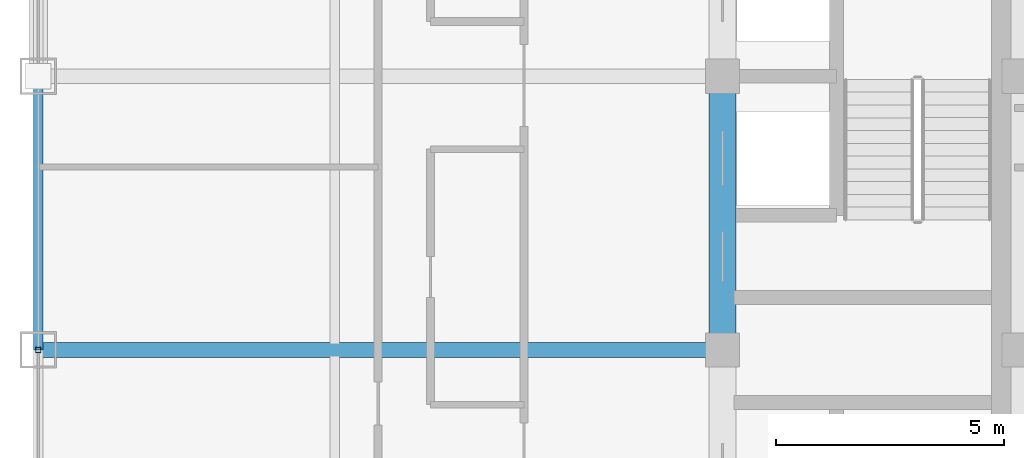
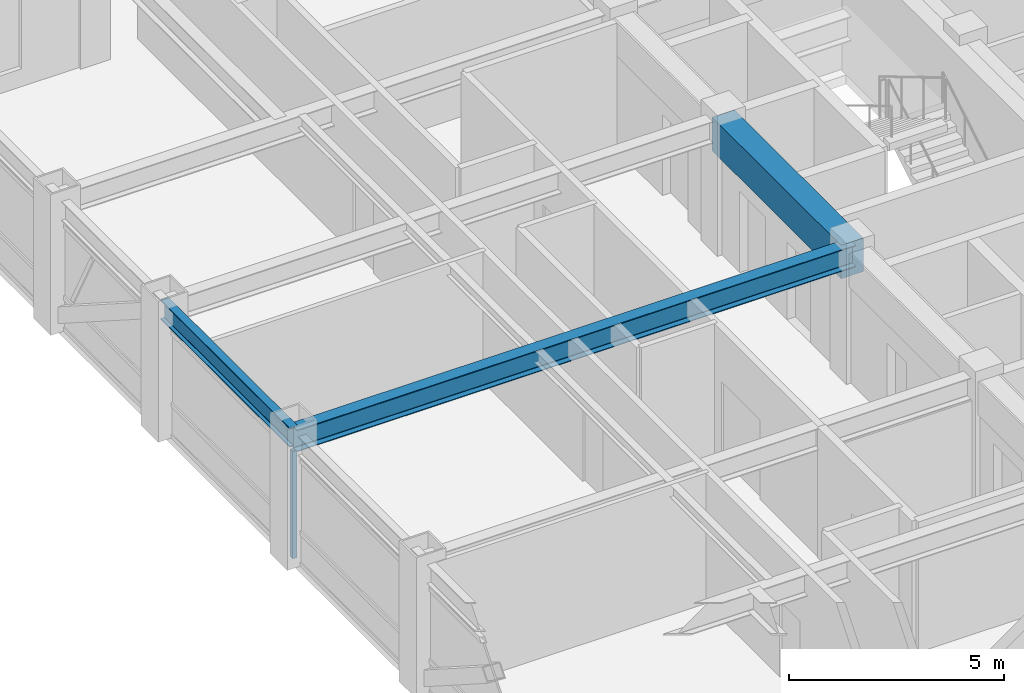
# One storey, part 6 of 32: 3 beams, 1 member, 1 element without a shape of its own.
"""IFC4 building model written with IfcOpenShell, lengths in metres."""

import ifcopenshell
import ifcopenshell.guid

model = None  # the IFC model being written
_history = None  # IfcOwnerHistory: only IFC2X3 demands one
_inside = {}  # id of a spatial element -> (the spatial element, [elements in it])
_under = {}  # id of a project, library or spatial element -> (it, [spatial elements below it])
_declared = {}  # id of a project -> (the project, [libraries it declares])
_typed = {}  # id of a type object -> (the type object, [elements of that type])
_made_of = {}  # id of a material, layer set ... -> (it, [elements and type objects made of it])


def new_model(schema):
    """Start an empty IFC model of exactly this schema.

    Asked for "IFC4X3", IfcOpenShell would pick the latest addendum, in which some entities
    have other attributes; the version numbers below select the first issue.
    IFC2X3 requires an IfcOwnerHistory on every rooted entity: one is made here for all.
    """
    global model, _history
    if schema == "IFC4X3":
        model = ifcopenshell.file(schema_version=(4, 3, 0, 0))
    else:
        model = ifcopenshell.file(schema=schema)
    _inside.clear()
    _under.clear()
    _declared.clear()
    _typed.clear()
    _made_of.clear()
    _history = None
    if model.schema == "IFC2X3":
        org = make("IfcOrganization", Name="unknown")
        user = make(
            "IfcPersonAndOrganization",
            ThePerson=make("IfcPerson", FamilyName="unknown"),
            TheOrganization=org,
        )
        app = make(
            "IfcApplication",
            ApplicationDeveloper=org,
            Version="unknown",
            ApplicationFullName="unknown",
            ApplicationIdentifier="unknown",
        )
        _history = make(
            "IfcOwnerHistory",
            OwningUser=user,
            OwningApplication=app,
            ChangeAction="ADDED",
            CreationDate=0,
        )
    return model


def make(cls, **values):
    """One entity of the class cls with the attributes given. An attribute that is None is left unset."""
    return model.create_entity(
        cls, **{name: value for name, value in values.items() if value is not None}
    )


def rooted(cls, **values):
    """An entity with a GlobalId (a new one), such as an element, a storey or a relation."""
    return make(cls, GlobalId=ifcopenshell.guid.new(), OwnerHistory=_history, **values)


def si_unit(unit_type, name, prefix=None):
    """IfcSIUnit, for example si_unit("LENGTHUNIT", "METRE", prefix="MILLI")."""
    return make("IfcSIUnit", UnitType=unit_type, Prefix=prefix, Name=name)


def assignment(units):
    """IfcUnitAssignment: the units of a project."""
    return None if units is None else make("IfcUnitAssignment", Units=units)


def point(xyz):
    """IfcCartesianPoint."""
    return None if xyz is None else make("IfcCartesianPoint", Coordinates=xyz)


def direction(xyz):
    """IfcDirection."""
    return None if xyz is None else make("IfcDirection", DirectionRatios=xyz)


def frame(location, z_axis=None, x_axis=None):
    """IfcAxis2Placement3D, a coordinate frame: its origin and axes. An axis left out is left unset."""
    return make(
        "IfcAxis2Placement3D",
        Location=point(location),
        Axis=direction(z_axis),
        RefDirection=direction(x_axis),
    )


def frame_2d(location, x_axis=None):
    """IfcAxis2Placement2D, a coordinate frame in the plane: its origin and x axis."""
    return make(
        "IfcAxis2Placement2D", Location=point(location), RefDirection=direction(x_axis)
    )


def origin():
    """The frame at (0, 0, 0) with its axes left unset."""
    return frame((0.0, 0.0, 0.0))


def origin_2d():
    """The frame at (0, 0) in the plane with its x axis left unset."""
    return frame_2d((0.0, 0.0))


def place(relative_to, where):
    """IfcLocalPlacement: puts the frame where relative to a parent placement (None: the world)."""
    return make(
        "IfcLocalPlacement", PlacementRelTo=relative_to, RelativePlacement=where
    )


def context(
    kind, dimensions, precision=None, world=None, true_north=None, identifier=None
):
    """IfcGeometricRepresentationContext, for example the 3D "Model" context."""
    return make(
        "IfcGeometricRepresentationContext",
        ContextIdentifier=identifier,
        ContextType=kind,
        CoordinateSpaceDimension=dimensions,
        Precision=precision,
        WorldCoordinateSystem=world,
        TrueNorth=true_north,
    )


def subcontext(parent, identifier, kind, view, scale=None):
    """IfcGeometricRepresentationSubContext, for example "Body" below "Model"."""
    return make(
        "IfcGeometricRepresentationSubContext",
        ContextIdentifier=identifier,
        ContextType=kind,
        ParentContext=parent,
        TargetScale=scale,
        TargetView=view,
    )


def project(units=None, contexts=None):
    """IfcProject with its units and contexts."""
    return rooted(
        "IfcProject",
        Name="project",
        RepresentationContexts=contexts,
        UnitsInContext=assignment(units),
    )


def spatial(cls, under=None, at=None, **own):
    """A site, building, storey or space (cls), placed at a placement, below another one or the project."""
    s = rooted(cls, ObjectPlacement=at, **own)
    if under is not None:
        _under.setdefault(under.id(), (under, []))[1].append(s)
    return s


def profile(cls, at=None, kind="AREA", **sizes):
    """A parametric profile (cls). Its sizes go by their IFC names, for example OverallWidth=200.0."""
    return make(cls, ProfileType=kind, Position=at, **sizes)


def rectangle(**sizes):
    """IfcRectangleProfileDef."""
    return profile("IfcRectangleProfileDef", **sizes)


def hollow_rectangle(**sizes):
    """IfcRectangleHollowProfileDef."""
    return profile("IfcRectangleHollowProfileDef", **sizes)


def i_section(**sizes):
    """IfcIShapeProfileDef."""
    return profile("IfcIShapeProfileDef", **sizes)


def extrude(swept, where, along, depth):
    """IfcExtrudedAreaSolid: the profile swept, set in the frame where, extruded along a direction by depth."""
    return make(
        "IfcExtrudedAreaSolid",
        SweptArea=swept,
        Position=where,
        ExtrudedDirection=direction(along),
        Depth=depth,
    )


def shape(context_of_items, identifier, shape_type, items):
    """IfcShapeRepresentation: the items that make up one representation, for example the "Body"."""
    return make(
        "IfcShapeRepresentation",
        ContextOfItems=context_of_items,
        RepresentationIdentifier=identifier,
        RepresentationType=shape_type,
        Items=items,
    )


def source(mapping_origin, context_of_items, identifier, shape_type, items):
    """IfcRepresentationMap: a shape defined once, which mapped items show again and again."""
    return make(
        "IfcRepresentationMap",
        MappingOrigin=mapping_origin,
        MappedRepresentation=shape(context_of_items, identifier, shape_type, items),
    )


def transform(
    local_origin,
    x_axis=None,
    y_axis=None,
    z_axis=None,
    scale=None,
    scale2=None,
    scale3=None,
    uniform=True,
):
    """IfcCartesianTransformationOperator3D, or its non-uniform kind. x_axis, y_axis, z_axis: its Axis1, 2, 3."""
    if uniform:
        return make(
            "IfcCartesianTransformationOperator3D",
            Axis1=direction(x_axis),
            Axis2=direction(y_axis),
            LocalOrigin=point(local_origin),
            Scale=scale,
            Axis3=direction(z_axis),
        )
    return make(
        "IfcCartesianTransformationOperator3DnonUniform",
        Axis1=direction(x_axis),
        Axis2=direction(y_axis),
        LocalOrigin=point(local_origin),
        Scale=scale,
        Axis3=direction(z_axis),
        Scale2=scale2,
        Scale3=scale3,
    )


def mapped(mapping_source, mapping_target):
    """IfcMappedItem: shows the shape of a source again, moved by a transform."""
    return make(
        "IfcMappedItem", MappingSource=mapping_source, MappingTarget=mapping_target
    )


def material(Name=None, Category=None):
    """IfcMaterial."""
    return make("IfcMaterial", Name=Name, Category=Category)


def material_profile(
    of_material, cross_section, Name=None, Category=None, Priority=None
):
    """IfcMaterialProfile: a cross section and its material."""
    return make(
        "IfcMaterialProfile",
        Name=Name,
        Material=of_material,
        Profile=cross_section,
        Priority=Priority,
        Category=Category,
    )


def profile_set(profiles, Name=None, composite=None):
    """IfcMaterialProfileSet."""
    return make(
        "IfcMaterialProfileSet",
        Name=Name,
        MaterialProfiles=profiles,
        CompositeProfile=composite,
    )


def made_of(thing, what):
    """Note that an element or type object is made of a material, layer set ...; save() writes the relation."""
    if what is not None:
        _made_of.setdefault(what.id(), (what, []))[1].append(thing)
    return thing


def type_object(cls, material=None, **own):
    """A type object (cls), such as IfcWallType, which elements share."""
    return made_of(rooted(cls, **own), material)


def element(
    cls,
    number,
    at=None,
    inside=None,
    cuts=None,
    type_object=None,
    material=None,
    context=None,
    identifier="Body",
    shape_type=None,
    held_by="IfcProductDefinitionShape",
    body=None,
    shapes=None,
    **own,
):
    """One element of the class cls, such as IfcWall. Its Tag is "e" and its number.

    at: its placement. inside: the storey or other place that contains it. cuts: it is an
    opening in that element (IfcRelVoidsElement). A single representation is given by context,
    identifier, shape_type and body (its items); several are given by shapes. held_by: the class
    of the entity that holds the representations. save() writes the other relations.
    """
    e = rooted(cls, Tag="e%d" % number, ObjectPlacement=at, **own)
    if body is not None:
        shapes = [shape(context, identifier, shape_type, body)]
    if shapes is not None:
        e.Representation = make(held_by, Representations=shapes)
    if inside is not None:
        _inside.setdefault(inside.id(), (inside, []))[1].append(e)
    if cuts is not None:
        rooted(
            "IfcRelVoidsElement", RelatingBuildingElement=cuts, RelatedOpeningElement=e
        )
    if type_object is not None:
        _typed.setdefault(type_object.id(), (type_object, []))[1].append(e)
    return made_of(e, material)


def aggregate(whole, parts):
    """IfcRelAggregates: a whole, such as a stair, and the parts it consists of."""
    return rooted("IfcRelAggregates", RelatingObject=whole, RelatedObjects=parts)


def save(model, path):
    """Write the relations noted so far, then the file.

    IfcRelAggregates (storeys below a building ...), IfcRelContainedInSpatialStructure (elements
    in a storey), IfcRelDefinesByType, IfcRelAssociatesMaterial and IfcRelDeclares: one each for
    every whole, place, type object, material and project.
    """
    for whole, parts in _under.values():
        aggregate(whole, parts)
    for where, things in _inside.values():
        rooted(
            "IfcRelContainedInSpatialStructure",
            RelatedElements=things,
            RelatingStructure=where,
        )
    for kind, things in _typed.values():
        rooted("IfcRelDefinesByType", RelatedObjects=things, RelatingType=kind)
    for what, things in _made_of.values():
        rooted("IfcRelAssociatesMaterial", RelatedObjects=things, RelatingMaterial=what)
    for by, libraries in _declared.values():
        rooted("IfcRelDeclares", RelatingContext=by, RelatedDefinitions=libraries)
    model.write(path)


model = new_model("IFC4")

# Units and contexts
model_context = context("Model", 3, precision=1e-05, world=origin(), true_north=direction((0.0, 1.0)))
body_context = subcontext(model_context, "Body", "Model", "MODEL_VIEW")
ifc_project = project(units=[si_unit("LENGTHUNIT", "METRE"), si_unit("AREAUNIT", "SQUARE_METRE"), si_unit("VOLUMEUNIT", "CUBIC_METRE"), si_unit("PLANEANGLEUNIT", "RADIAN"), si_unit("MASSUNIT", "GRAM", prefix="KILO")], contexts=[model_context])

# Site, building, storey
site_placement = place(None, origin())
site = spatial("IfcSite", under=ifc_project, at=site_placement, CompositionType="ELEMENT")
building_placement = place(site_placement, origin())
building = spatial("IfcBuilding", under=site, at=building_placement, Name="Khorayat Bourse Tower", CompositionType="ELEMENT")
storey_placement = place(building_placement, frame((0.0, 0.0, 342.300048828125)))
storey = spatial("IfcBuildingStorey", under=building, at=storey_placement, Name="L81", CompositionType="ELEMENT", Elevation=342.300048828125)

# Beams
ifc_material_1 = material(Name="Concrete C60/75", Category="concrete")
ifc_material_profile_1 = material_profile(ifc_material_1, rectangle(XDim=0.60009765625, YDim=0.949951171875, at=origin_2d()), Name="RC 600x950")
ifc_profile_set_1 = profile_set([ifc_material_profile_1], Name="Concrete C60/75")
beam_type_1 = type_object("IfcBeamType", Name="BM-COUP-950", PredefinedType="BEAM", material=ifc_profile_set_1)
shared_shape_1 = source(origin(), body_context, "Body", "SweptSolid", [
    extrude(rectangle(XDim=0.60009765625, YDim=0.949951171875, at=origin_2d()), origin(), (0.0, 0.0, 1.0), 6.0),
])
beam_1_placement = place(storey_placement, frame((-11.0, 0.0, 3.224853515625), z_axis=(0.0, 1.0, 0.0), x_axis=(-1.0, 0.0, 0.0)))
element("IfcBeam", 1, at=beam_1_placement, inside=storey, type_object=beam_type_1, Name="L81 BM-COUP-950 BM-L81-CRX-03", PredefinedType="BEAM", context=body_context, shape_type="MappedRepresentation", body=[
    mapped(shared_shape_1, transform((0.0, 0.0, 0.0), scale=1.0)),
])
ifc_material_2 = material(Name="Steel ASTM A992 Grade 50", Category="steel")
ifc_material_profile_2 = material_profile(ifc_material_2, i_section(OverallWidth=0.214111328125, OverallDepth=0.549072265625, WebThickness=0.0146484375, FlangeThickness=0.023681640625, FilletRadius=0.013916015625, at=origin_2d()), Name="W530X138")
ifc_profile_set_2 = profile_set([ifc_material_profile_2], Name="Steel ASTM A992 Grade 50")
beam_type_2 = type_object("IfcBeamType", Name="BM-SPAN-530", PredefinedType="SPANDREL", material=ifc_profile_set_2)
shared_shape_2 = source(origin(), body_context, "Body", "SweptSolid", [
    extrude(i_section(OverallWidth=0.214111328125, OverallDepth=0.549072265625, WebThickness=0.0146484375, FlangeThickness=0.023681640625, FilletRadius=0.013916015625, at=origin_2d()), origin(), (0.0, 0.0, 1.0), 6.0),
])
beam_2_placement = place(storey_placement, frame((-26.0, 0.0, 3.425537109375), z_axis=(0.0, 1.0, 0.0), x_axis=(-1.0, 0.0, 0.0)))
element("IfcBeam", 2, at=beam_2_placement, inside=storey, type_object=beam_type_2, Name="L81 BM-SPAN-530 BM-L81-SPN-047", PredefinedType="SPANDREL", context=body_context, shape_type="MappedRepresentation", body=[
    mapped(shared_shape_2, transform((0.0, 0.0, 0.0), scale=1.0)),
])
ifc_material_profile_3 = material_profile(ifc_material_2, i_section(OverallWidth=0.324951171875, OverallDepth=0.615966796875, WebThickness=0.013916015625, FlangeThickness=0.021484375, FilletRadius=0.01611328125, at=origin_2d()), Name="W610X174")
ifc_profile_set_3 = profile_set([ifc_material_profile_3], Name="Steel ASTM A992 Grade 50")
beam_type_3 = type_object("IfcBeamType", Name="BM-GIRD-610", PredefinedType="BEAM", material=ifc_profile_set_3)
shared_shape_3 = source(origin(), body_context, "Body", "SweptSolid", [
    extrude(i_section(OverallWidth=0.324951171875, OverallDepth=0.615966796875, WebThickness=0.013916015625, FlangeThickness=0.021484375, FilletRadius=0.01611328125, at=origin_2d()), origin(), (0.0, 0.0, 1.0), 15.0),
])
beam_3_placement = place(storey_placement, frame((-26.0, 0.0, 3.391845703125), z_axis=(1.0, 0.0, 0.0), x_axis=(0.0, 1.0, 0.0)))
element("IfcBeam", 3, at=beam_3_placement, inside=storey, type_object=beam_type_3, Name="L81 BM-GIRD-610 BM-L81-RADX-066", PredefinedType="BEAM", context=body_context, shape_type="MappedRepresentation", body=[
    mapped(shared_shape_3, transform((0.0, 0.0, 0.0), scale=1.0)),
])

# Curtain wall, member
ifc_material_3 = material(Name="Aluminium EN AW-6063 T6", Category="aluminium")
curtain_wall_type = type_object("IfcCurtainWallType", Name="CW-SYS-04", PredefinedType="NOTDEFINED", material=ifc_material_3)
curtain_wall_placement = place(storey_placement, origin())
curtain_wall = element("IfcCurtainWall", 4, at=curtain_wall_placement, inside=storey, type_object=curtain_wall_type, Name="L81 Curtain Wall CW-L81-W1", PredefinedType="NOTDEFINED")
ifc_material_profile_4 = material_profile(ifc_material_3, hollow_rectangle(XDim=0.1201171875, YDim=0.1201171875, WallThickness=0.0048828125, at=origin_2d()), Name="ALU 120x120x5")
ifc_profile_set_4 = profile_set([ifc_material_profile_4], Name="Aluminium EN AW-6063 T6")
member_type = type_object("IfcMemberType", Name="CWM-VERT-120", PredefinedType="MULLION", material=ifc_profile_set_4)
shared_shape_4 = source(origin(), body_context, "Body", "SweptSolid", [
    extrude(hollow_rectangle(XDim=0.1201171875, YDim=0.1201171875, WallThickness=0.0048828125, at=origin_2d()), origin(), (0.0, 0.0, 1.0), 3.050048828125),
])
member_placement = place(storey_placement, frame((-26.0, 0.0, 0.0), z_axis=(0.0, 0.0, 1.0), x_axis=(-1.0, 0.0, 0.0)))
member = element("IfcMember", 5, at=member_placement, type_object=member_type, Name="CW-L81-W1 Vertical Mullion 2", PredefinedType="MULLION", context=body_context, shape_type="MappedRepresentation", body=[
    mapped(shared_shape_4, transform((0.0, 0.0, 0.0), scale=1.0)),
])
aggregate(curtain_wall, [member])

save(model, "model.ifc")
